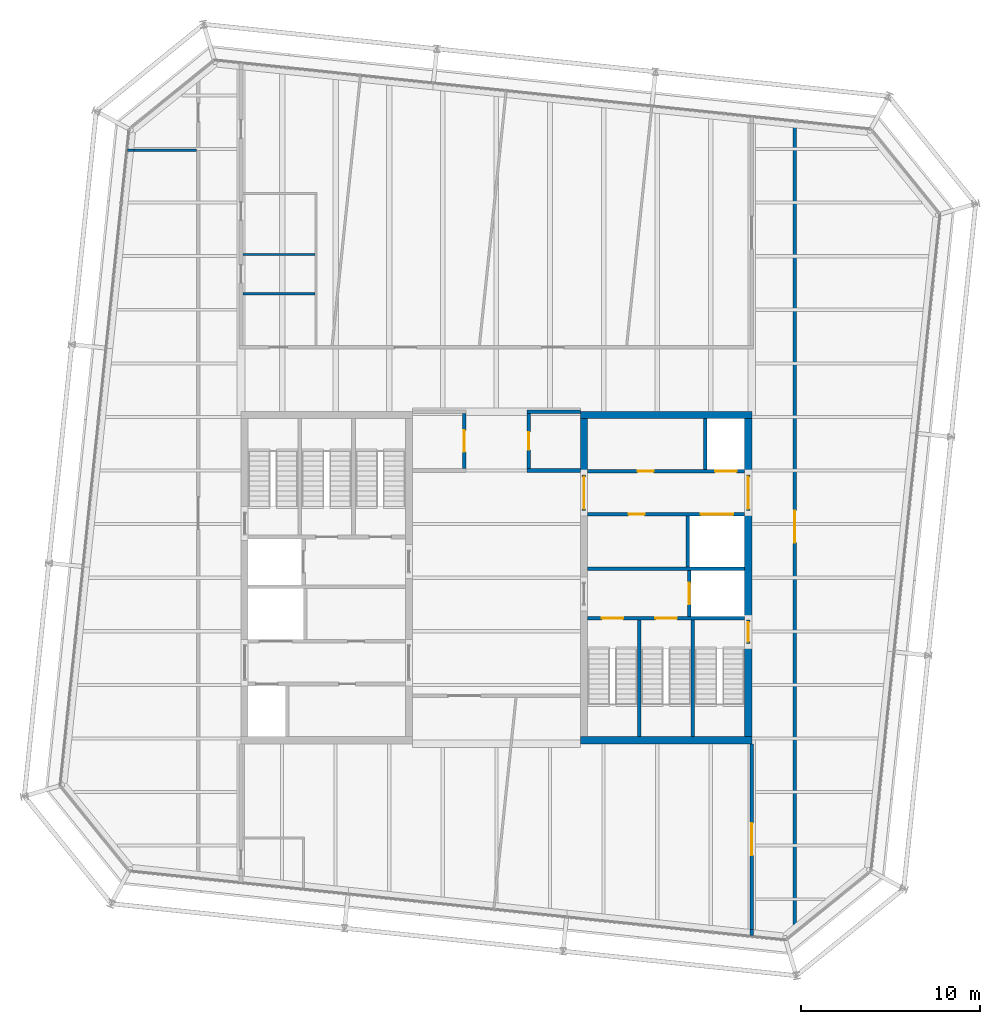
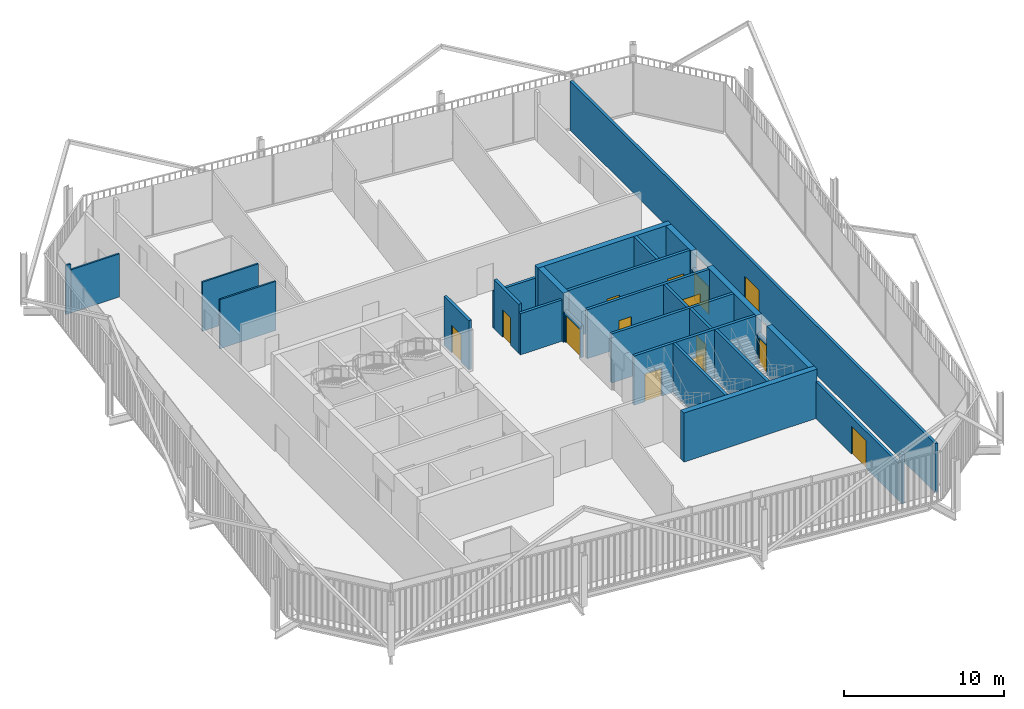
# One storey, part 18 of 21: 29 walls, 14 doors, 14 openings.
"""IFC4 building model written with IfcOpenShell, lengths in metres."""

from ifc_helpers import new_model, si_unit, direction, frame, frame_2d, origin, place, context, subcontext, project, spatial, rectangle, extrude, material, layer, layer_set, type_object, element, fill, save


model = new_model("IFC4")

# Units and contexts
model_context = context("Model", 3, precision=1e-05, world=origin(), true_north=direction((0.0, 1.0)))
body_context = subcontext(model_context, "Body", "Model", "MODEL_VIEW")
ifc_project = project(units=[si_unit("LENGTHUNIT", "METRE"), si_unit("AREAUNIT", "SQUARE_METRE"), si_unit("VOLUMEUNIT", "CUBIC_METRE"), si_unit("PLANEANGLEUNIT", "RADIAN"), si_unit("MASSUNIT", "GRAM", prefix="KILO")], contexts=[model_context])

# Site, building, storey
site_placement = place(None, origin())
site = spatial("IfcSite", under=ifc_project, at=site_placement, CompositionType="ELEMENT")
building_placement = place(site_placement, origin())
building = spatial("IfcBuilding", under=site, at=building_placement, Name="Millrace Tower", CompositionType="ELEMENT")
storey_placement = place(building_placement, frame((0.0, 0.0, 334.300048828125)))
storey = spatial("IfcBuildingStorey", under=building, at=storey_placement, Name="L77", CompositionType="ELEMENT", Elevation=334.300048828125)

# Walls
ifc_material_1 = material(Name="Concrete C60", Category="concrete")
ifc_layer_1 = layer(ifc_material_1, 0.39990234375)
ifc_layer_set_1 = layer_set([ifc_layer_1], Name="Concrete C60")
wall_type_1 = type_object("IfcWallType", Name="Core wall 400 Concrete C60", PredefinedType="SHEAR", material=ifc_layer_set_1)
for number, where, z_axis, x_axis, name in (
    (1, (14.300048828125, 9.10009765625, 0.0), (0.0, 0.0, 1.0), (-1.0, 0.0, 0.0), "Core wall E L77"),
    (2, (14.300048828125, -9.10009765625, 0.0), (0.0, 0.0, 1.0), (-1.0, 0.0, 0.0), "Core wall E L77"),
):
    element("IfcWall", number, at=place(storey_placement, frame(where, z_axis=z_axis, x_axis=x_axis)), inside=storey, type_object=wall_type_1, Name=name, PredefinedType="SHEAR", context=body_context, shape_type="SweptSolid", body=[
        extrude(rectangle(XDim=9.60009765625, YDim=0.39990234375, at=frame_2d((4.800048828125, 0.0))), origin(), (0.0, 0.0, 1.0), 3.739990234375),
    ])
wall_1_placement = place(storey_placement, frame((14.10009765625, 8.89990234375, 0.0), z_axis=(0.0, 0.0, 1.0), x_axis=(0.0, -1.0, 0.0)))
element("IfcWall", 3, at=wall_1_placement, inside=storey, type_object=wall_type_1, Name="Core wall E L77", PredefinedType="SHEAR", context=body_context, shape_type="SweptSolid", body=[
    extrude(rectangle(XDim=3.14990234375, YDim=0.39990234375, at=frame_2d((1.574951171875, 0.0))), origin(), (0.0, 0.0, 1.0), 3.739990234375),
])
wall_2_placement = place(storey_placement, frame((14.10009765625, 3.75, 0.0), z_axis=(0.0, 0.0, 1.0), x_axis=(0.0, -1.0, 0.0)))
element("IfcWall", 4, at=wall_2_placement, inside=storey, type_object=wall_type_1, Name="Core wall E L77", PredefinedType="SHEAR", context=body_context, shape_type="SweptSolid", body=[
    extrude(rectangle(XDim=6.1298828125, YDim=0.39990234375, at=frame_2d((3.06494140625, 0.0))), origin(), (0.0, 0.0, 1.0), 3.739990234375),
])
wall_3_placement = place(storey_placement, frame((14.10009765625, -3.679931640625, 0.0), z_axis=(0.0, 0.0, 1.0), x_axis=(0.0, -1.0, 0.0)))
element("IfcWall", 5, at=wall_3_placement, inside=storey, type_object=wall_type_1, Name="Core wall E L77", PredefinedType="SHEAR", context=body_context, shape_type="SweptSolid", body=[
    extrude(rectangle(XDim=5.219970703125, YDim=0.39990234375, at=frame_2d((2.60986328125, 0.0))), origin(), (0.0, 0.0, 1.0), 3.739990234375),
])
wall_4_placement = place(storey_placement, frame((4.89990234375, 8.89990234375, 0.0), z_axis=(0.0, 0.0, 1.0), x_axis=(0.0, -1.0, 0.0)))
element("IfcWall", 6, at=wall_4_placement, inside=storey, type_object=wall_type_1, Name="Core wall E L77", PredefinedType="SHEAR", context=body_context, shape_type="SweptSolid", body=[
    extrude(rectangle(XDim=3.14990234375, YDim=0.39990234375, at=frame_2d((1.574951171875, 0.0))), origin(), (0.0, 0.0, 1.0), 3.739990234375),
])
ifc_material_2 = material(Name="Masonry partition, fire-rated", Category="masonry")
ifc_layer_2 = layer(ifc_material_2, 0.199951171875)
ifc_layer_set_2 = layer_set([ifc_layer_2], Name="Masonry partition, fire-rated")
wall_type_2 = type_object("IfcWallType", Name="Corridor wall 200", PredefinedType="PARTITIONING", material=ifc_layer_set_2)
wall_5_placement = place(storey_placement, frame((1.699951171875, 6.0, 0.0), z_axis=(0.0, 0.0, 1.0), x_axis=(1.0, 0.0, 0.0)))
element("IfcWall", 7, at=wall_5_placement, inside=storey, type_object=wall_type_2, Name="Corridor wall L77", PredefinedType="PARTITIONING", context=body_context, shape_type="SweptSolid", body=[
    extrude(rectangle(XDim=3.0, YDim=0.199951171875, at=frame_2d((1.5, 0.0))), origin(), (0.0, 0.0, 1.0), 3.140625),
])
wall_6_placement = place(storey_placement, frame((1.699951171875, 9.300048828125, 0.0), z_axis=(0.0, 0.0, 1.0), x_axis=(1.0, 0.0, 0.0)))
element("IfcWall", 8, at=wall_6_placement, inside=storey, type_object=wall_type_2, Name="Corridor wall L77", PredefinedType="PARTITIONING", context=body_context, shape_type="SweptSolid", body=[
    extrude(rectangle(XDim=3.0, YDim=0.199951171875, at=frame_2d((1.5, 0.0))), origin(), (0.0, 0.0, 1.0), 2.812744140625),
])

# Wall, opening, door
wall_7_placement = place(storey_placement, frame((16.699951171875, -20.01416015625, 0.0), z_axis=(0.0, 0.0, 1.0), x_axis=(0.0, 1.0, 0.0)))
wall_7 = element("IfcWall", 9, at=wall_7_placement, inside=storey, type_object=wall_type_2, Name="Corridor wall L77", PredefinedType="PARTITIONING", context=body_context, shape_type="SweptSolid", body=[
    extrude(rectangle(XDim=45.535400390625, YDim=0.199951171875, at=frame_2d((22.767578125, 0.0))), origin(), (0.0, 0.0, 1.0), 3.739990234375),
])
opening_1_placement = place(wall_7_placement, frame((21.974609375, 0.0, 0.0)))
opening_1 = element("IfcOpeningElement", 10, at=opening_1_placement, cuts=wall_7, Name="Opening 77-P012", PredefinedType="OPENING", context=body_context, shape_type="SweptSolid", body=[
    extrude(rectangle(XDim=1.800048828125, YDim=2.10009765625, at=frame_2d((0.89990234375, 1.050048828125))), frame((0.0, 0.10986328125, 0.0), z_axis=(0.0, -1.0, 0.0), x_axis=(1.0, 0.0, 0.0)), (0.0, 0.0, 1.0), 0.219970703125),
])
ifc_material_3 = material(Name="Steel door set, fire-rated", Category="steel")
door_type_1 = type_object("IfcDoorType", Name="Corridor door 1800 x 2100", OperationType="DOUBLE_DOOR_SINGLE_SWING", PredefinedType="DOOR", material=ifc_material_3)
door_1_placement = place(opening_1_placement, origin())
door_1 = element("IfcDoor", 11, at=door_1_placement, inside=storey, type_object=door_type_1, Name="Door 77-P012", OperationType="DOUBLE_DOOR_SINGLE_SWING", OverallHeight=2.10009765625, OverallWidth=1.800048828125, PredefinedType="DOOR", context=body_context, shape_type="SweptSolid", body=[
    extrude(rectangle(XDim=1.800048828125, YDim=2.10009765625, at=frame_2d((0.89990234375, 1.050048828125))), frame((0.0, 0.02490234375, 0.0), z_axis=(0.0, -1.0, 0.0), x_axis=(1.0, 0.0, 0.0)), (0.0, 0.0, 1.0), 0.050048828125),
])
fill(opening_1, door_1)

# Wall
wall_8_placement = place(storey_placement, frame((14.300048828125, -20.037353515625, 0.0), z_axis=(0.0, 0.0, 1.0), x_axis=(0.0, 1.0, 0.0)))
element("IfcWall", 12, at=wall_8_placement, inside=storey, type_object=wall_type_2, Name="Corridor wall L77", PredefinedType="PARTITIONING", context=body_context, shape_type="SweptSolid", body=[
    extrude(rectangle(XDim=0.339111328125, YDim=0.199951171875, at=frame_2d((0.16943359375, 0.0))), origin(), (0.0, 0.0, 1.0), 3.739990234375),
])

# Wall, opening, door
wall_9_placement = place(storey_placement, frame((14.300048828125, -19.6982421875, 0.0), z_axis=(0.0, 0.0, 1.0), x_axis=(0.0, 1.0, 0.0)))
wall_9 = element("IfcWall", 13, at=wall_9_placement, inside=storey, type_object=wall_type_2, Name="Corridor wall L77", PredefinedType="PARTITIONING", context=body_context, shape_type="SweptSolid", body=[
    extrude(rectangle(XDim=10.398193359375, YDim=0.199951171875, at=frame_2d((5.19921875, 0.0))), origin(), (0.0, 0.0, 1.0), 2.812744140625),
])
opening_2_placement = place(wall_9_placement, frame((4.15478515625, 0.0, 0.0)))
opening_2 = element("IfcOpeningElement", 14, at=opening_2_placement, cuts=wall_9, Name="Opening 77-P015", PredefinedType="OPENING", context=body_context, shape_type="SweptSolid", body=[
    extrude(rectangle(XDim=1.800048828125, YDim=2.10009765625, at=frame_2d((0.89990234375, 1.050048828125))), frame((0.0, 0.10986328125, 0.0), z_axis=(0.0, -1.0, 0.0), x_axis=(1.0, 0.0, 0.0)), (0.0, 0.0, 1.0), 0.219970703125),
])
door_2_placement = place(opening_2_placement, origin())
door_2 = element("IfcDoor", 15, at=door_2_placement, inside=storey, type_object=door_type_1, Name="Door 77-P015", OperationType="DOUBLE_DOOR_SINGLE_SWING", OverallHeight=2.10009765625, OverallWidth=1.800048828125, PredefinedType="DOOR", context=body_context, shape_type="SweptSolid", body=[
    extrude(rectangle(XDim=1.800048828125, YDim=2.10009765625, at=frame_2d((0.89990234375, 1.050048828125))), frame((0.0, 0.02490234375, 0.0), z_axis=(0.0, -1.0, 0.0), x_axis=(1.0, 0.0, 0.0)), (0.0, 0.0, 1.0), 0.050048828125),
])
fill(opening_2, door_2)

wall_10_placement = place(storey_placement, frame((1.800048828125, 6.10009765625, 0.0), z_axis=(0.0, 0.0, 1.0), x_axis=(0.0, 1.0, 0.0)))
wall_10 = element("IfcWall", 16, at=wall_10_placement, inside=storey, type_object=wall_type_2, Name="Corridor wall L77", PredefinedType="PARTITIONING", context=body_context, shape_type="SweptSolid", body=[
    extrude(rectangle(XDim=3.099853515625, YDim=0.199951171875, at=frame_2d((1.5498046875, 0.0))), origin(), (0.0, 0.0, 1.0), 3.739990234375),
])
opening_3_placement = place(wall_10_placement, frame((1.050048828125, 0.0, 0.0)))
opening_3 = element("IfcOpeningElement", 17, at=opening_3_placement, cuts=wall_10, Name="Opening 77-P002", PredefinedType="OPENING", context=body_context, shape_type="SweptSolid", body=[
    extrude(rectangle(XDim=1.0, YDim=2.10009765625, at=frame_2d((0.5, 1.050048828125))), frame((0.0, 0.10986328125, 0.0), z_axis=(0.0, -1.0, 0.0), x_axis=(1.0, 0.0, 0.0)), (0.0, 0.0, 1.0), 0.219970703125),
])
ifc_material_4 = material(Name="Steel door set, fire-rated", Category="steel")
door_type_2 = type_object("IfcDoorType", Name="Corridor door 1000 x 2100", OperationType="SINGLE_SWING_LEFT", PredefinedType="DOOR", material=ifc_material_4)
door_3_placement = place(opening_3_placement, frame((1.0, 0.0, 0.0), z_axis=(0.0, 0.0, 1.0), x_axis=(-1.0, 0.0, 0.0)))
door_3 = element("IfcDoor", 18, at=door_3_placement, inside=storey, type_object=door_type_2, Name="Door 77-P002", OperationType="SINGLE_SWING_RIGHT", OverallHeight=2.10009765625, OverallWidth=1.0, PredefinedType="DOOR", context=body_context, shape_type="SweptSolid", body=[
    extrude(rectangle(XDim=1.0, YDim=2.10009765625, at=frame_2d((0.5, 1.050048828125))), frame((0.0, 0.02490234375, 0.0), z_axis=(0.0, -1.0, 0.0), x_axis=(1.0, 0.0, 0.0)), (0.0, 0.0, 1.0), 0.050048828125),
])
fill(opening_3, door_3)

wall_11_placement = place(storey_placement, frame((-1.800048828125, 6.10009765625, 0.0), z_axis=(0.0, 0.0, 1.0), x_axis=(0.0, 1.0, 0.0)))
wall_11 = element("IfcWall", 19, at=wall_11_placement, inside=storey, type_object=wall_type_2, Name="Corridor wall L77", PredefinedType="PARTITIONING", context=body_context, shape_type="SweptSolid", body=[
    extrude(rectangle(XDim=3.099853515625, YDim=0.199951171875, at=frame_2d((1.5498046875, 0.0))), origin(), (0.0, 0.0, 1.0), 3.739990234375),
])
opening_4_placement = place(wall_11_placement, frame((0.949951171875, 0.0, 0.0)))
opening_4 = element("IfcOpeningElement", 20, at=opening_4_placement, cuts=wall_11, Name="Opening 77-P001", PredefinedType="OPENING", context=body_context, shape_type="SweptSolid", body=[
    extrude(rectangle(XDim=1.199951171875, YDim=2.10009765625, at=frame_2d((0.60009765625, 1.050048828125))), frame((0.0, 0.10986328125, 0.0), z_axis=(0.0, -1.0, 0.0), x_axis=(1.0, 0.0, 0.0)), (0.0, 0.0, 1.0), 0.219970703125),
])
ifc_material_5 = material(Name="Steel door set, fire-rated", Category="steel")
door_type_3 = type_object("IfcDoorType", Name="Corridor door 1200 x 2100", OperationType="SINGLE_SWING_LEFT", PredefinedType="DOOR", material=ifc_material_5)
door_4_placement = place(opening_4_placement, origin())
door_4 = element("IfcDoor", 21, at=door_4_placement, inside=storey, type_object=door_type_3, Name="Door 77-P001", OperationType="SINGLE_SWING_LEFT", OverallHeight=2.10009765625, OverallWidth=1.199951171875, PredefinedType="DOOR", context=body_context, shape_type="SweptSolid", body=[
    extrude(rectangle(XDim=1.199951171875, YDim=2.10009765625, at=frame_2d((0.60009765625, 1.050048828125))), frame((0.0, 0.02490234375, 0.0), z_axis=(0.0, -1.0, 0.0), x_axis=(1.0, 0.0, 0.0)), (0.0, 0.0, 1.0), 0.050048828125),
])
fill(opening_4, door_4)

# Wall, openings, doors
ifc_material_6 = material(Name="Masonry partition, fire-rated", Category="masonry")
ifc_layer_3 = layer(ifc_material_6, 0.199951171875)
ifc_layer_set_3 = layer_set([ifc_layer_3], Name="Masonry partition, fire-rated")
wall_type_3 = type_object("IfcWallType", Name="Lift shaft wall 200", PredefinedType="PARTITIONING", material=ifc_layer_set_3)
wall_12_placement = place(storey_placement, frame((13.89990234375, 5.949951171875, 0.0), z_axis=(0.0, 0.0, 1.0), x_axis=(-1.0, 0.0, 0.0)))
wall_12 = element("IfcWall", 22, at=wall_12_placement, inside=storey, type_object=wall_type_3, Name="Lift shaft wall E L77", PredefinedType="PARTITIONING", context=body_context, shape_type="SweptSolid", body=[
    extrude(rectangle(XDim=8.7998046875, YDim=0.199951171875, at=frame_2d((4.39990234375, 0.0))), origin(), (0.0, 0.0, 1.0), 3.739990234375),
])
opening_5_placement = place(wall_12_placement, frame((0.449951171875, 0.0, 0.0)))
opening_5 = element("IfcOpeningElement", 23, at=opening_5_placement, cuts=wall_12, Name="Opening 77-LD09", PredefinedType="OPENING", context=body_context, shape_type="SweptSolid", body=[
    extrude(rectangle(XDim=1.199951171875, YDim=2.10009765625, at=frame_2d((0.60009765625, 1.050048828125))), frame((0.0, 0.10986328125, 0.0), z_axis=(0.0, -1.0, 0.0), x_axis=(1.0, 0.0, 0.0)), (0.0, 0.0, 1.0), 0.219970703125),
])
opening_6_placement = place(wall_12_placement, frame((5.10009765625, 0.0, 0.0)))
opening_6 = element("IfcOpeningElement", 24, at=opening_6_placement, cuts=wall_12, Name="Opening 77-C013", PredefinedType="OPENING", context=body_context, shape_type="SweptSolid", body=[
    extrude(rectangle(XDim=0.89990234375, YDim=2.10009765625, at=frame_2d((0.449951171875, 1.050048828125))), frame((0.0, 0.10986328125, 0.0), z_axis=(0.0, -1.0, 0.0), x_axis=(1.0, 0.0, 0.0)), (0.0, 0.0, 1.0), 0.219970703125),
])
ifc_material_7 = material(Name="Stainless steel, fire-rated", Category="steel")
door_type_4 = type_object("IfcDoorType", Name="Lift landing door 1200 x 2100", OperationType="DOUBLE_DOOR_SLIDING", PredefinedType="DOOR", material=ifc_material_7)
door_5_placement = place(opening_5_placement, origin())
door_5 = element("IfcDoor", 25, at=door_5_placement, inside=storey, type_object=door_type_4, Name="Lift landing door LF9 L77", OperationType="DOUBLE_DOOR_SLIDING", OverallHeight=2.10009765625, OverallWidth=1.199951171875, PredefinedType="DOOR", context=body_context, shape_type="SweptSolid", body=[
    extrude(rectangle(XDim=1.199951171875, YDim=2.10009765625, at=frame_2d((0.60009765625, 1.050048828125))), frame((0.0, 0.02490234375, 0.0), z_axis=(0.0, -1.0, 0.0), x_axis=(1.0, 0.0, 0.0)), (0.0, 0.0, 1.0), 0.050048828125),
])
fill(opening_5, door_5)
ifc_material_8 = material(Name="Steel door, fire-rated", Category="steel")
door_type_5 = type_object("IfcDoorType", Name="Service room door 900 x 2100", OperationType="SINGLE_SWING_LEFT", PredefinedType="DOOR", material=ifc_material_8)
door_6_placement = place(opening_6_placement, frame((0.89990234375, 0.0, 0.0), z_axis=(0.0, 0.0, 1.0), x_axis=(-1.0, 0.0, 0.0)))
door_6 = element("IfcDoor", 26, at=door_6_placement, inside=storey, type_object=door_type_5, Name="Service room door 77-C013", OperationType="SINGLE_SWING_LEFT", OverallHeight=2.10009765625, OverallWidth=0.89990234375, PredefinedType="DOOR", context=body_context, shape_type="SweptSolid", body=[
    extrude(rectangle(XDim=0.89990234375, YDim=2.10009765625, at=frame_2d((0.449951171875, 1.050048828125))), frame((0.0, 0.02490234375, 0.0), z_axis=(0.0, -1.0, 0.0), x_axis=(1.0, 0.0, 0.0)), (0.0, 0.0, 1.0), 0.050048828125),
])
fill(opening_6, door_6)

wall_13_placement = place(storey_placement, frame((13.89990234375, 3.550048828125, 0.0), z_axis=(0.0, 0.0, 1.0), x_axis=(-1.0, 0.0, 0.0)))
wall_13 = element("IfcWall", 27, at=wall_13_placement, inside=storey, type_object=wall_type_3, Name="Lift shaft wall E L77", PredefinedType="PARTITIONING", context=body_context, shape_type="SweptSolid", body=[
    extrude(rectangle(XDim=8.7998046875, YDim=0.199951171875, at=frame_2d((4.39990234375, 0.0))), origin(), (0.0, 0.0, 1.0), 3.739990234375),
])
opening_7_placement = place(wall_13_placement, frame((0.64990234375, 0.0, 0.0)))
opening_7 = element("IfcOpeningElement", 28, at=opening_7_placement, cuts=wall_13, Name="Opening 77-LD13", PredefinedType="OPENING", context=body_context, shape_type="SweptSolid", body=[
    extrude(rectangle(XDim=1.800048828125, YDim=2.10009765625, at=frame_2d((0.89990234375, 1.050048828125))), frame((0.0, 0.10986328125, 0.0), z_axis=(0.0, -1.0, 0.0), x_axis=(1.0, 0.0, 0.0)), (0.0, 0.0, 1.0), 0.219970703125),
])
opening_8_placement = place(wall_13_placement, frame((5.60009765625, 0.0, 0.0)))
opening_8 = element("IfcOpeningElement", 29, at=opening_8_placement, cuts=wall_13, Name="Opening 77-C014", PredefinedType="OPENING", context=body_context, shape_type="SweptSolid", body=[
    extrude(rectangle(XDim=0.89990234375, YDim=2.10009765625, at=frame_2d((0.449951171875, 1.050048828125))), frame((0.0, 0.10986328125, 0.0), z_axis=(0.0, -1.0, 0.0), x_axis=(1.0, 0.0, 0.0)), (0.0, 0.0, 1.0), 0.219970703125),
])
ifc_material_9 = material(Name="Stainless steel, fire-rated", Category="steel")
door_type_6 = type_object("IfcDoorType", Name="Lift landing door 1800 x 2100", OperationType="DOUBLE_DOOR_SLIDING", PredefinedType="DOOR", material=ifc_material_9)
door_7_placement = place(opening_7_placement, origin())
door_7 = element("IfcDoor", 30, at=door_7_placement, inside=storey, type_object=door_type_6, Name="Lift landing door LF13 L77", OperationType="DOUBLE_DOOR_SLIDING", OverallHeight=2.10009765625, OverallWidth=1.800048828125, PredefinedType="DOOR", context=body_context, shape_type="SweptSolid", body=[
    extrude(rectangle(XDim=1.800048828125, YDim=2.10009765625, at=frame_2d((0.89990234375, 1.050048828125))), frame((0.0, 0.02490234375, 0.0), z_axis=(0.0, -1.0, 0.0), x_axis=(1.0, 0.0, 0.0)), (0.0, 0.0, 1.0), 0.050048828125),
])
fill(opening_7, door_7)
door_8_placement = place(opening_8_placement, origin())
door_8 = element("IfcDoor", 31, at=door_8_placement, inside=storey, type_object=door_type_5, Name="Service room door 77-C014", OperationType="SINGLE_SWING_RIGHT", OverallHeight=2.10009765625, OverallWidth=0.89990234375, PredefinedType="DOOR", context=body_context, shape_type="SweptSolid", body=[
    extrude(rectangle(XDim=0.89990234375, YDim=2.10009765625, at=frame_2d((0.449951171875, 1.050048828125))), frame((0.0, 0.02490234375, 0.0), z_axis=(0.0, -1.0, 0.0), x_axis=(1.0, 0.0, 0.0)), (0.0, 0.0, 1.0), 0.050048828125),
])
fill(opening_8, door_8)

# Wall
wall_14_placement = place(storey_placement, frame((13.89990234375, 0.5, 0.0), z_axis=(0.0, 0.0, 1.0), x_axis=(-1.0, 0.0, 0.0)))
element("IfcWall", 32, at=wall_14_placement, inside=storey, type_object=wall_type_3, Name="Lift shaft wall E L77", PredefinedType="PARTITIONING", context=body_context, shape_type="SweptSolid", body=[
    extrude(rectangle(XDim=8.7998046875, YDim=0.199951171875, at=frame_2d((4.39990234375, 0.0))), origin(), (0.0, 0.0, 1.0), 3.739990234375),
])

# Wall, opening, door
wall_15_placement = place(storey_placement, frame((10.800048828125, 0.39990234375, 0.0), z_axis=(0.0, 0.0, 1.0), x_axis=(0.0, -1.0, 0.0)))
wall_15 = element("IfcWall", 33, at=wall_15_placement, inside=storey, type_object=wall_type_3, Name="Lift shaft wall E L77", PredefinedType="PARTITIONING", context=body_context, shape_type="SweptSolid", body=[
    extrude(rectangle(XDim=2.579833984375, YDim=0.199951171875, at=frame_2d((1.2900390625, 0.0))), origin(), (0.0, 0.0, 1.0), 3.739990234375),
])
opening_9_placement = place(wall_15_placement, frame((0.68994140625, 0.0, 0.0)))
opening_9 = element("IfcOpeningElement", 34, at=opening_9_placement, cuts=wall_15, Name="Opening 77-LD16", PredefinedType="OPENING", context=body_context, shape_type="SweptSolid", body=[
    extrude(rectangle(XDim=1.199951171875, YDim=2.10009765625, at=frame_2d((0.60009765625, 1.050048828125))), frame((0.0, 0.10986328125, 0.0), z_axis=(0.0, -1.0, 0.0), x_axis=(1.0, 0.0, 0.0)), (0.0, 0.0, 1.0), 0.219970703125),
])
door_9_placement = place(opening_9_placement, origin())
door_9 = element("IfcDoor", 35, at=door_9_placement, inside=storey, type_object=door_type_4, Name="Lift landing door LF16 L77", OperationType="DOUBLE_DOOR_SLIDING", OverallHeight=2.10009765625, OverallWidth=1.199951171875, PredefinedType="DOOR", context=body_context, shape_type="SweptSolid", body=[
    extrude(rectangle(XDim=1.199951171875, YDim=2.10009765625, at=frame_2d((0.60009765625, 1.050048828125))), frame((0.0, 0.02490234375, 0.0), z_axis=(0.0, -1.0, 0.0), x_axis=(1.0, 0.0, 0.0)), (0.0, 0.0, 1.0), 0.050048828125),
])
fill(opening_9, door_9)

# Walls
for number, where, z_axis, x_axis, name in (
    (36, (11.699951171875, 8.89990234375, 0.0), (0.0, 0.0, 1.0), (0.0, -1.0, 0.0), "Lift shaft wall E L77"),
    (37, (10.699951171875, 3.449951171875, 0.0), (0.0, 0.0, 1.0), (0.0, -1.0, 0.0), "Lift shaft wall E L77"),
):
    element("IfcWall", number, at=place(storey_placement, frame(where, z_axis=z_axis, x_axis=x_axis)), inside=storey, type_object=wall_type_3, Name=name, PredefinedType="PARTITIONING", context=body_context, shape_type="SweptSolid", body=[
        extrude(rectangle(XDim=2.849853515625, YDim=0.199951171875, at=frame_2d((1.4248046875, 0.0))), origin(), (0.0, 0.0, 1.0), 3.739990234375),
    ])

# Wall, opening, door
ifc_material_10 = material(Name="Masonry partition, fire-rated", Category="masonry")
ifc_layer_4 = layer(ifc_material_10, 0.199951171875)
ifc_layer_set_4 = layer_set([ifc_layer_4], Name="Masonry partition, fire-rated")
wall_type_4 = type_object("IfcWallType", Name="Lobby wall 200", PredefinedType="PARTITIONING", material=ifc_layer_set_4)
wall_16_placement = place(storey_placement, frame((14.10009765625, 5.75, 0.0), z_axis=(0.0, 0.0, 1.0), x_axis=(0.0, -1.0, 0.0)))
wall_16 = element("IfcWall", 38, at=wall_16_placement, inside=storey, type_object=wall_type_4, Name="Lobby wall E L77", PredefinedType="PARTITIONING", context=body_context, shape_type="SweptSolid", body=[
    extrude(rectangle(XDim=2.0, YDim=0.199951171875, at=frame_2d((1.0, 0.0))), origin(), (0.0, 0.0, 1.0), 2.39990234375),
])
opening_10_placement = place(wall_16_placement, frame((0.10009765625, 0.0, 0.0)))
opening_10 = element("IfcOpeningElement", 39, at=opening_10_placement, cuts=wall_16, Name="Opening 77-C009", PredefinedType="OPENING", context=body_context, shape_type="SweptSolid", body=[
    extrude(rectangle(XDim=1.800048828125, YDim=2.10009765625, at=frame_2d((0.89990234375, 1.050048828125))), frame((0.0, 0.10986328125, 0.0), z_axis=(0.0, -1.0, 0.0), x_axis=(1.0, 0.0, 0.0)), (0.0, 0.0, 1.0), 0.219970703125),
])
ifc_material_11 = material(Name="Steel door, fire-rated", Category="steel")
door_type_7 = type_object("IfcDoorType", Name="Lobby door 1800 x 2100", OperationType="DOUBLE_DOOR_SINGLE_SWING", PredefinedType="DOOR", material=ifc_material_11)
door_10_placement = place(opening_10_placement, origin())
door_10 = element("IfcDoor", 40, at=door_10_placement, inside=storey, type_object=door_type_7, Name="Lobby door 77-C009", OperationType="DOUBLE_DOOR_SINGLE_SWING", OverallHeight=2.10009765625, OverallWidth=1.800048828125, PredefinedType="DOOR", context=body_context, shape_type="SweptSolid", body=[
    extrude(rectangle(XDim=1.800048828125, YDim=2.10009765625, at=frame_2d((0.89990234375, 1.050048828125))), frame((0.0, 0.02490234375, 0.0), z_axis=(0.0, -1.0, 0.0), x_axis=(1.0, 0.0, 0.0)), (0.0, 0.0, 1.0), 0.050048828125),
])
fill(opening_10, door_10)

wall_17_placement = place(storey_placement, frame((4.89990234375, 5.75, 0.0), z_axis=(0.0, 0.0, 1.0), x_axis=(0.0, -1.0, 0.0)))
wall_17 = element("IfcWall", 41, at=wall_17_placement, inside=storey, type_object=wall_type_4, Name="Lobby wall E L77", PredefinedType="PARTITIONING", context=body_context, shape_type="SweptSolid", body=[
    extrude(rectangle(XDim=2.0, YDim=0.199951171875, at=frame_2d((1.0, 0.0))), origin(), (0.0, 0.0, 1.0), 2.39990234375),
])
opening_11_placement = place(wall_17_placement, frame((0.10009765625, 0.0, 0.0)))
opening_11 = element("IfcOpeningElement", 42, at=opening_11_placement, cuts=wall_17, Name="Opening 77-C011", PredefinedType="OPENING", context=body_context, shape_type="SweptSolid", body=[
    extrude(rectangle(XDim=1.800048828125, YDim=2.10009765625, at=frame_2d((0.89990234375, 1.050048828125))), frame((0.0, 0.10986328125, 0.0), z_axis=(0.0, -1.0, 0.0), x_axis=(1.0, 0.0, 0.0)), (0.0, 0.0, 1.0), 0.219970703125),
])
door_11_placement = place(opening_11_placement, frame((1.800048828125, 0.0, 0.0), z_axis=(0.0, 0.0, 1.0), x_axis=(-1.0, 0.0, 0.0)))
door_11 = element("IfcDoor", 43, at=door_11_placement, inside=storey, type_object=door_type_7, Name="Lobby door 77-C011", OperationType="DOUBLE_DOOR_SINGLE_SWING", OverallHeight=2.10009765625, OverallWidth=1.800048828125, PredefinedType="DOOR", context=body_context, shape_type="SweptSolid", body=[
    extrude(rectangle(XDim=1.800048828125, YDim=2.10009765625, at=frame_2d((0.89990234375, 1.050048828125))), frame((0.0, 0.02490234375, 0.0), z_axis=(0.0, -1.0, 0.0), x_axis=(1.0, 0.0, 0.0)), (0.0, 0.0, 1.0), 0.050048828125),
])
fill(opening_11, door_11)

# Walls
ifc_material_12 = material(Name="Gypsum board partition")
ifc_layer_5 = layer(ifc_material_12, 0.1201171875)
ifc_layer_set_5 = layer_set([ifc_layer_5], Name="Gypsum board partition")
wall_type_5 = type_object("IfcWallType", Name="Partition wall 120", PredefinedType="PARTITIONING", material=ifc_layer_set_5)
for number, where, z_axis, x_axis, name in (
    (44, (-14.199951171875, 15.89990234375, 0.0), (0.0, 0.0, 1.0), (1.0, 0.0, 0.0), "Partition wall L77"),
    (45, (-14.199951171875, 18.10009765625, 0.0), (0.0, 0.0, 1.0), (1.0, 0.0, 0.0), "Partition wall L77"),
):
    element("IfcWall", number, at=place(storey_placement, frame(where, z_axis=z_axis, x_axis=x_axis)), inside=storey, type_object=wall_type_5, Name=name, PredefinedType="PARTITIONING", context=body_context, shape_type="SweptSolid", body=[
        extrude(rectangle(XDim=4.0400390625, YDim=0.1201171875, at=frame_2d((2.02001953125, 0.0))), origin(), (0.0, 0.0, 1.0), 3.739990234375),
    ])
wall_18_placement = place(storey_placement, frame((-20.64794921875, 23.926025390625, 0.0), z_axis=(0.0, 0.0, 1.0), x_axis=(1.0, 0.0, 0.0)))
element("IfcWall", 46, at=wall_18_placement, inside=storey, type_object=wall_type_5, Name="Partition wall L77", PredefinedType="PARTITIONING", context=body_context, shape_type="SweptSolid", body=[
    extrude(rectangle(XDim=0.346923828125, YDim=0.1201171875, at=frame_2d((0.17333984375, 0.0))), origin(), (0.0, 0.0, 1.0), 3.739990234375),
])
wall_19_placement = place(storey_placement, frame((-20.301025390625, 23.926025390625, 0.0), z_axis=(0.0, 0.0, 1.0), x_axis=(1.0, 0.0, 0.0)))
element("IfcWall", 47, at=wall_19_placement, inside=storey, type_object=wall_type_5, Name="Partition wall L77", PredefinedType="PARTITIONING", context=body_context, shape_type="SweptSolid", body=[
    extrude(rectangle(XDim=3.5009765625, YDim=0.1201171875, at=frame_2d((1.75048828125, 0.0))), origin(), (0.0, 0.0, 1.0), 3.290283203125),
])

# Wall, opening, door
ifc_material_13 = material(Name="Concrete C40", Category="concrete")
ifc_layer_6 = layer(ifc_material_13, 0.199951171875)
ifc_layer_set_6 = layer_set([ifc_layer_6], Name="Concrete C40")
wall_type_6 = type_object("IfcWallType", Name="Stair enclosure wall 200 Concrete C40", PredefinedType="SHEAR", material=ifc_layer_set_6)
wall_20_placement = place(storey_placement, frame((14.10009765625, -2.3798828125, 0.0), z_axis=(0.0, 0.0, 1.0), x_axis=(0.0, -1.0, 0.0)))
wall_20 = element("IfcWall", 48, at=wall_20_placement, inside=storey, type_object=wall_type_6, Name="Stair enclosure wall E L77", PredefinedType="SHEAR", context=body_context, shape_type="SweptSolid", body=[
    extrude(rectangle(XDim=1.300048828125, YDim=0.199951171875, at=frame_2d((0.64990234375, 0.0))), origin(), (0.0, 0.0, 1.0), 2.39990234375),
])
opening_12_placement = place(wall_20_placement, frame((0.10009765625, 0.0, 0.0)))
opening_12 = element("IfcOpeningElement", 49, at=opening_12_placement, cuts=wall_20, Name="Opening 77-C010", PredefinedType="OPENING", context=body_context, shape_type="SweptSolid", body=[
    extrude(rectangle(XDim=1.10009765625, YDim=2.10009765625, at=frame_2d((0.550048828125, 1.050048828125))), frame((0.0, 0.10986328125, 0.0), z_axis=(0.0, -1.0, 0.0), x_axis=(1.0, 0.0, 0.0)), (0.0, 0.0, 1.0), 0.219970703125),
])
ifc_material_14 = material(Name="Steel door, fire-rated", Category="steel")
door_type_8 = type_object("IfcDoorType", Name="Stair door 1100 x 2100", OperationType="SINGLE_SWING_LEFT", PredefinedType="DOOR", material=ifc_material_14)
door_12_placement = place(opening_12_placement, origin())
door_12 = element("IfcDoor", 50, at=door_12_placement, inside=storey, type_object=door_type_8, Name="Stair door 77-C010", OperationType="SINGLE_SWING_RIGHT", OverallHeight=2.10009765625, OverallWidth=1.10009765625, PredefinedType="DOOR", context=body_context, shape_type="SweptSolid", body=[
    extrude(rectangle(XDim=1.10009765625, YDim=2.10009765625, at=frame_2d((0.550048828125, 1.050048828125))), frame((0.0, 0.02490234375, 0.0), z_axis=(0.0, -1.0, 0.0), x_axis=(1.0, 0.0, 0.0)), (0.0, 0.0, 1.0), 0.050048828125),
])
fill(opening_12, door_12)

# Wall, openings, doors
wall_21_placement = place(storey_placement, frame((13.89990234375, -2.280029296875, 0.0), z_axis=(0.0, 0.0, 1.0), x_axis=(-1.0, 0.0, 0.0)))
wall_21 = element("IfcWall", 51, at=wall_21_placement, inside=storey, type_object=wall_type_6, Name="Stair enclosure wall E L77", PredefinedType="SHEAR", context=body_context, shape_type="SweptSolid", body=[
    extrude(rectangle(XDim=8.7998046875, YDim=0.199951171875, at=frame_2d((4.39990234375, 0.0))), origin(), (0.0, 0.0, 1.0), 3.739990234375),
])
opening_13_placement = place(wall_21_placement, frame((3.800048828125, 0.0, 0.0)))
opening_13 = element("IfcOpeningElement", 52, at=opening_13_placement, cuts=wall_21, Name="Opening 77-C015", PredefinedType="OPENING", context=body_context, shape_type="SweptSolid", body=[
    extrude(rectangle(XDim=1.199951171875, YDim=2.10009765625, at=frame_2d((0.60009765625, 1.050048828125))), frame((0.0, 0.10986328125, 0.0), z_axis=(0.0, -1.0, 0.0), x_axis=(1.0, 0.0, 0.0)), (0.0, 0.0, 1.0), 0.219970703125),
])
opening_14_placement = place(wall_21_placement, frame((6.800048828125, 0.0, 0.0)))
opening_14 = element("IfcOpeningElement", 53, at=opening_14_placement, cuts=wall_21, Name="Opening 77-C016", PredefinedType="OPENING", context=body_context, shape_type="SweptSolid", body=[
    extrude(rectangle(XDim=1.199951171875, YDim=2.10009765625, at=frame_2d((0.60009765625, 1.050048828125))), frame((0.0, 0.10986328125, 0.0), z_axis=(0.0, -1.0, 0.0), x_axis=(1.0, 0.0, 0.0)), (0.0, 0.0, 1.0), 0.219970703125),
])
ifc_material_15 = material(Name="Steel door, fire-rated", Category="steel")
door_type_9 = type_object("IfcDoorType", Name="Stair door 1200 x 2100", OperationType="SINGLE_SWING_LEFT", PredefinedType="DOOR", material=ifc_material_15)
door_13_placement = place(opening_13_placement, frame((1.199951171875, 0.0, 0.0), z_axis=(0.0, 0.0, 1.0), x_axis=(-1.0, 0.0, 0.0)))
door_13 = element("IfcDoor", 54, at=door_13_placement, inside=storey, type_object=door_type_9, Name="Stair door 77-C015", OperationType="SINGLE_SWING_LEFT", OverallHeight=2.10009765625, OverallWidth=1.199951171875, PredefinedType="DOOR", context=body_context, shape_type="SweptSolid", body=[
    extrude(rectangle(XDim=1.199951171875, YDim=2.10009765625, at=frame_2d((0.60009765625, 1.050048828125))), frame((0.0, 0.02490234375, 0.0), z_axis=(0.0, -1.0, 0.0), x_axis=(1.0, 0.0, 0.0)), (0.0, 0.0, 1.0), 0.050048828125),
])
fill(opening_13, door_13)
door_14_placement = place(opening_14_placement, frame((1.199951171875, 0.0, 0.0), z_axis=(0.0, 0.0, 1.0), x_axis=(-1.0, 0.0, 0.0)))
door_14 = element("IfcDoor", 55, at=door_14_placement, inside=storey, type_object=door_type_9, Name="Stair door 77-C016", OperationType="SINGLE_SWING_LEFT", OverallHeight=2.10009765625, OverallWidth=1.199951171875, PredefinedType="DOOR", context=body_context, shape_type="SweptSolid", body=[
    extrude(rectangle(XDim=1.199951171875, YDim=2.10009765625, at=frame_2d((0.60009765625, 1.050048828125))), frame((0.0, 0.02490234375, 0.0), z_axis=(0.0, -1.0, 0.0), x_axis=(1.0, 0.0, 0.0)), (0.0, 0.0, 1.0), 0.050048828125),
])
fill(opening_14, door_14)

# Walls
for number, where, z_axis, x_axis, name in (
    (56, (11.0, -2.3798828125, 0.0), (0.0, 0.0, 1.0), (0.0, -1.0, 0.0), "Stair enclosure wall E L77"),
    (57, (8.0, -2.3798828125, 0.0), (0.0, 0.0, 1.0), (0.0, -1.0, 0.0), "Stair enclosure wall E L77"),
):
    element("IfcWall", number, at=place(storey_placement, frame(where, z_axis=z_axis, x_axis=x_axis)), inside=storey, type_object=wall_type_6, Name=name, PredefinedType="SHEAR", context=body_context, shape_type="SweptSolid", body=[
        extrude(rectangle(XDim=6.52001953125, YDim=0.199951171875, at=frame_2d((3.260009765625, 0.0))), origin(), (0.0, 0.0, 1.0), 3.739990234375),
    ])

save(model, "model.ifc")
